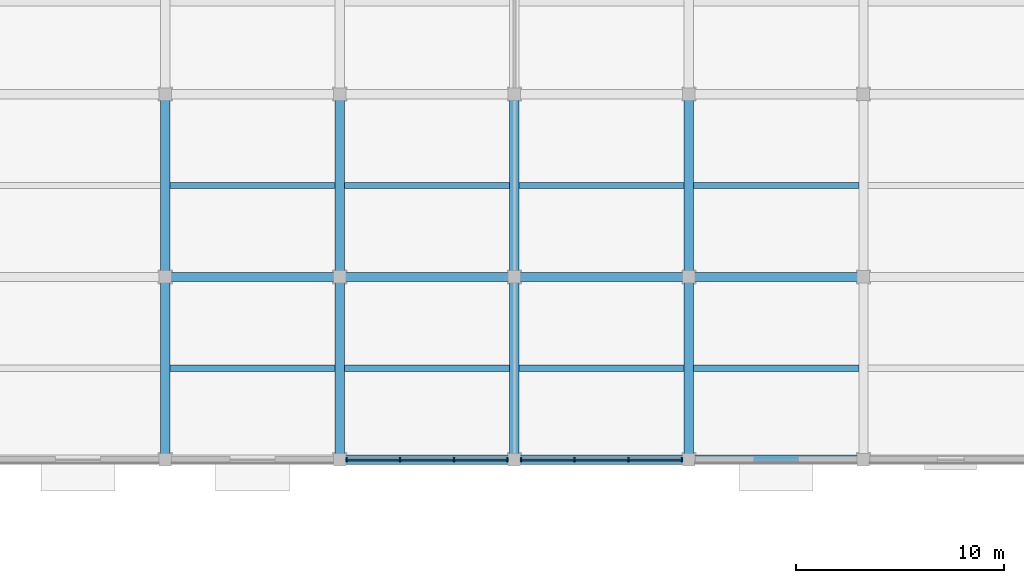
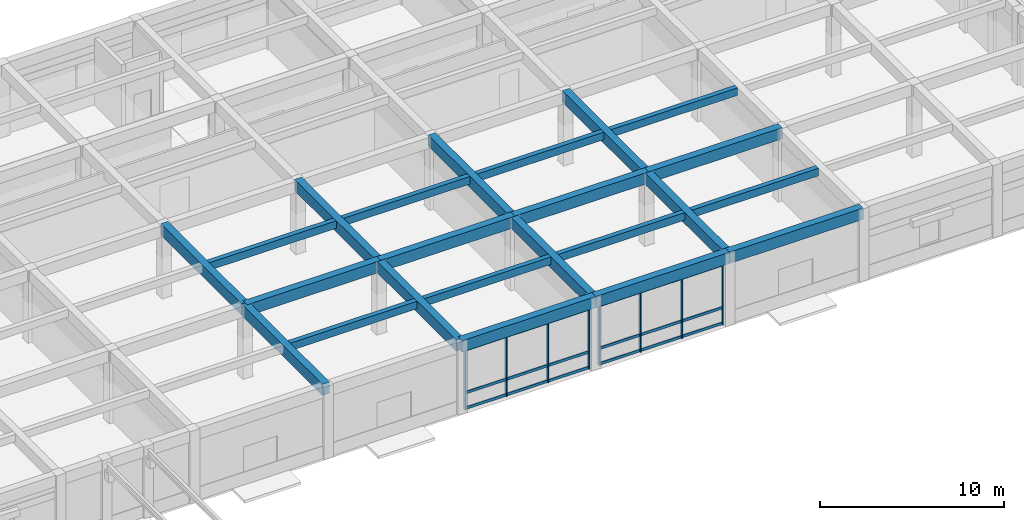
# One storey, part 16 of 58: 26 members, 23 beams, 2 elements without a shape of their own.
"""IFC4 building model written with IfcOpenShell, lengths in metres."""

from ifc_helpers import new_model, si_unit, direction, frame, origin, origin_2d, place, context, subcontext, project, spatial, rectangle, extrude, material, material_profile, profile_set, type_object, element, aggregate, save


model = new_model("IFC4")

# Units and contexts
model_context = context("Model", 3, precision=1e-05, world=origin(), true_north=direction((0.0, 1.0)))
body_context = subcontext(model_context, "Body", "Model", "MODEL_VIEW")
ifc_project = project(units=[si_unit("LENGTHUNIT", "METRE"), si_unit("AREAUNIT", "SQUARE_METRE"), si_unit("VOLUMEUNIT", "CUBIC_METRE"), si_unit("PLANEANGLEUNIT", "RADIAN"), si_unit("MASSUNIT", "GRAM", prefix="KILO")], contexts=[model_context])

# Site, building, storey
site_placement = place(None, origin())
site = spatial("IfcSite", under=ifc_project, at=site_placement, CompositionType="ELEMENT")
building_placement = place(site_placement, origin())
building = spatial("IfcBuilding", under=site, at=building_placement, Name="Kemercrest Conservatory and Botanical Centre", CompositionType="ELEMENT")
storey_placement = place(building_placement, origin())
storey = spatial("IfcBuildingStorey", under=building, at=storey_placement, Name="L00", CompositionType="ELEMENT", Elevation=0.0)

# Beams
ifc_material_1 = material(Name="Concrete C40/50", Category="concrete")
ifc_material_profile_1 = material_profile(ifc_material_1, rectangle(XDim=0.449951171875, YDim=0.75, at=origin_2d()), Name="RC 450x750")
ifc_profile_set_1 = profile_set([ifc_material_profile_1], Name="Concrete C40/50")
beam_type_1 = type_object("IfcBeamType", Name="BM-RC75", PredefinedType="BEAM", material=ifc_profile_set_1)
for number, where, z_axis, x_axis, name in (
    (1, (41.60009765625, 96.0, 4.425048828125), (1.0, 0.0, 0.0), (0.0, 1.0, 0.0), "V3-L01 beam BM-RC75 L/05-06"),
    (2, (50.0, 96.0, 4.425048828125), (1.0, 0.0, 0.0), (0.0, 1.0, 0.0), "V3-L01 beam BM-RC75 L/06-07"),
):
    element("IfcBeam", number, at=place(storey_placement, frame(where, z_axis=z_axis, x_axis=x_axis)), inside=storey, type_object=beam_type_1, Name=name, PredefinedType="BEAM", context=body_context, shape_type="SweptSolid", body=[
        extrude(rectangle(XDim=0.449951171875, YDim=0.75, at=origin_2d()), origin(), (0.0, 0.0, 1.0), 8.39990234375),
    ])
beam_1_placement = place(storey_placement, frame((58.39990234375, 96.0, 4.425048828125), z_axis=(1.0, 0.0, 0.0), x_axis=(0.0, 1.0, 0.0)))
element("IfcBeam", 3, at=beam_1_placement, inside=storey, type_object=beam_type_1, Name="V3-L01 beam BM-RC75 L/07-08", PredefinedType="BEAM", context=body_context, shape_type="SweptSolid", body=[
    extrude(rectangle(XDim=0.449951171875, YDim=0.75, at=origin_2d()), origin(), (0.0, 0.0, 1.0), 8.400146484375),
])
beam_2_placement = place(storey_placement, frame((66.800048828125, 96.0, 4.425048828125), z_axis=(1.0, 0.0, 0.0), x_axis=(0.0, 1.0, 0.0)))
element("IfcBeam", 4, at=beam_2_placement, inside=storey, type_object=beam_type_1, Name="V3-L01 beam BM-RC75 L/08-09", PredefinedType="BEAM", context=body_context, shape_type="SweptSolid", body=[
    extrude(rectangle(XDim=0.449951171875, YDim=0.75, at=origin_2d()), origin(), (0.0, 0.0, 1.0), 8.39990234375),
])
for number, where, z_axis, x_axis, name in (
    (5, (41.60009765625, 87.199951171875, 4.425048828125), (0.0, 1.0, 0.0), (-1.0, 0.0, 0.0), "V3-L01 beam BM-RC75 05/K-L"),
    (6, (41.60009765625, 96.0, 4.425048828125), (0.0, 1.0, 0.0), (-1.0, 0.0, 0.0), "V3-L01 beam BM-RC75 05/L-M"),
    (7, (50.0, 87.199951171875, 4.425048828125), (0.0, 1.0, 0.0), (-1.0, 0.0, 0.0), "V3-L01 beam BM-RC75 06/K-L"),
    (8, (50.0, 96.0, 4.425048828125), (0.0, 1.0, 0.0), (-1.0, 0.0, 0.0), "V3-L01 beam BM-RC75 06/L-M"),
    (9, (58.39990234375, 87.199951171875, 4.425048828125), (0.0, 1.0, 0.0), (-1.0, 0.0, 0.0), "V3-L01 beam BM-RC75 07/K-L"),
    (10, (58.39990234375, 96.0, 4.425048828125), (0.0, 1.0, 0.0), (-1.0, 0.0, 0.0), "V3-L01 beam BM-RC75 07/L-M"),
    (11, (66.800048828125, 87.199951171875, 4.425048828125), (0.0, 1.0, 0.0), (-1.0, 0.0, 0.0), "V3-L01 beam BM-RC75 08/K-L"),
    (12, (66.800048828125, 96.0, 4.425048828125), (0.0, 1.0, 0.0), (-1.0, 0.0, 0.0), "V3-L01 beam BM-RC75 08/L-M"),
):
    element("IfcBeam", number, at=place(storey_placement, frame(where, z_axis=z_axis, x_axis=x_axis)), inside=storey, type_object=beam_type_1, Name=name, PredefinedType="BEAM", context=body_context, shape_type="SweptSolid", body=[
        extrude(rectangle(XDim=0.449951171875, YDim=0.75, at=origin_2d()), origin(), (0.0, 0.0, 1.0), 8.800048828125),
    ])

# Curtain wall, members
ifc_material_2 = material(Name="Thermally broken aluminium and triple low-e glazing", Category="aluminium")
curtain_wall_type_1 = type_object("IfcCurtainWallType", Name="CW-01", PredefinedType="USERDEFINED", material=ifc_material_2)
curtain_wall_1_placement = place(storey_placement, origin())
curtain_wall_1 = element("IfcCurtainWall", 13, at=curtain_wall_1_placement, inside=storey, type_object=curtain_wall_type_1, Name="Unitised curtain wall CW-01 (CW:L00:V3-030)", ObjectType="UNITISED CURTAIN WALL", PredefinedType="USERDEFINED")
ifc_material_3 = material(Name="Thermally broken anodized aluminium 6063-T6", Category="aluminium")
ifc_material_profile_2 = material_profile(ifc_material_3, rectangle(XDim=0.199951171875, YDim=0.06494140625, at=origin_2d()), Name="AL MULLION 65x200")
ifc_profile_set_2 = profile_set([ifc_material_profile_2], Name="Thermally broken anodized aluminium 6063-T6")
member_type_1 = type_object("IfcMemberType", Name="CW-M200", PredefinedType="MULLION", material=ifc_profile_set_2)
member_1_placement = place(storey_placement, frame((50.327392578125, 87.199951171875, 0.0), z_axis=(0.0, 0.0, 1.0), x_axis=(0.0, 1.0, 0.0)))
member_1 = element("IfcMember", 14, at=member_1_placement, type_object=member_type_1, Name="CW-01 mullion 1", PredefinedType="MULLION", context=body_context, shape_type="SweptSolid", body=[
    extrude(rectangle(XDim=0.199951171875, YDim=0.06494140625, at=origin_2d()), origin(), (0.0, 0.0, 1.0), 4.054931640625),
])
member_2_placement = place(storey_placement, frame((52.8984375, 87.199951171875, 0.0), z_axis=(0.0, 0.0, 1.0), x_axis=(0.0, 1.0, 0.0)))
member_2 = element("IfcMember", 15, at=member_2_placement, type_object=member_type_1, Name="CW-01 mullion 2", PredefinedType="MULLION", context=body_context, shape_type="SweptSolid", body=[
    extrude(rectangle(XDim=0.199951171875, YDim=0.06494140625, at=origin_2d()), origin(), (0.0, 0.0, 1.0), 4.054931640625),
])
member_3_placement = place(storey_placement, frame((55.501708984375, 87.199951171875, 0.0), z_axis=(0.0, 0.0, 1.0), x_axis=(0.0, 1.0, 0.0)))
member_3 = element("IfcMember", 16, at=member_3_placement, type_object=member_type_1, Name="CW-01 mullion 3", PredefinedType="MULLION", context=body_context, shape_type="SweptSolid", body=[
    extrude(rectangle(XDim=0.199951171875, YDim=0.06494140625, at=origin_2d()), origin(), (0.0, 0.0, 1.0), 4.054931640625),
])
member_4_placement = place(storey_placement, frame((58.072509765625, 87.199951171875, 0.0), z_axis=(0.0, 0.0, 1.0), x_axis=(0.0, 1.0, 0.0)))
member_4 = element("IfcMember", 17, at=member_4_placement, type_object=member_type_1, Name="CW-01 mullion 4", PredefinedType="MULLION", context=body_context, shape_type="SweptSolid", body=[
    extrude(rectangle(XDim=0.199951171875, YDim=0.06494140625, at=origin_2d()), origin(), (0.0, 0.0, 1.0), 4.054931640625),
])

curtain_wall_type_2 = type_object("IfcCurtainWallType", Name="CW-02", PredefinedType="USERDEFINED", material=ifc_material_2)
curtain_wall_2_placement = place(storey_placement, origin())
curtain_wall_2 = element("IfcCurtainWall", 18, at=curtain_wall_2_placement, inside=storey, type_object=curtain_wall_type_2, Name="Unitised curtain wall CW-02 (CW:L00:V3-031)", ObjectType="UNITISED CURTAIN WALL", PredefinedType="USERDEFINED")
member_5_placement = place(storey_placement, frame((58.7275390625, 87.199951171875, 0.0), z_axis=(0.0, 0.0, 1.0), x_axis=(0.0, 1.0, 0.0)))
member_5 = element("IfcMember", 19, at=member_5_placement, type_object=member_type_1, Name="CW-02 mullion 1", PredefinedType="MULLION", context=body_context, shape_type="SweptSolid", body=[
    extrude(rectangle(XDim=0.199951171875, YDim=0.06494140625, at=origin_2d()), origin(), (0.0, 0.0, 1.0), 4.054931640625),
])
member_6_placement = place(storey_placement, frame((61.29833984375, 87.199951171875, 0.0), z_axis=(0.0, 0.0, 1.0), x_axis=(0.0, 1.0, 0.0)))
member_6 = element("IfcMember", 20, at=member_6_placement, type_object=member_type_1, Name="CW-02 mullion 2", PredefinedType="MULLION", context=body_context, shape_type="SweptSolid", body=[
    extrude(rectangle(XDim=0.199951171875, YDim=0.06494140625, at=origin_2d()), origin(), (0.0, 0.0, 1.0), 4.054931640625),
])
member_7_placement = place(storey_placement, frame((63.901611328125, 87.199951171875, 0.0), z_axis=(0.0, 0.0, 1.0), x_axis=(0.0, 1.0, 0.0)))
member_7 = element("IfcMember", 21, at=member_7_placement, type_object=member_type_1, Name="CW-02 mullion 3", PredefinedType="MULLION", context=body_context, shape_type="SweptSolid", body=[
    extrude(rectangle(XDim=0.199951171875, YDim=0.06494140625, at=origin_2d()), origin(), (0.0, 0.0, 1.0), 4.054931640625),
])
member_8_placement = place(storey_placement, frame((66.472412109375, 87.199951171875, 0.0), z_axis=(0.0, 0.0, 1.0), x_axis=(0.0, 1.0, 0.0)))
member_8 = element("IfcMember", 22, at=member_8_placement, type_object=member_type_1, Name="CW-02 mullion 4", PredefinedType="MULLION", context=body_context, shape_type="SweptSolid", body=[
    extrude(rectangle(XDim=0.199951171875, YDim=0.06494140625, at=origin_2d()), origin(), (0.0, 0.0, 1.0), 4.054931640625),
])

# Member
ifc_material_profile_3 = material_profile(ifc_material_3, rectangle(XDim=0.074951171875, YDim=0.179931640625, at=origin_2d()), Name="AL TRANSOM 75x180")
ifc_profile_set_3 = profile_set([ifc_material_profile_3], Name="Thermally broken anodized aluminium 6063-T6")
member_type_2 = type_object("IfcMemberType", Name="CW-T180", PredefinedType="USERDEFINED", material=ifc_profile_set_3)
member_9_placement = place(storey_placement, frame((50.360107421875, 87.199951171875, 0.090087890625), z_axis=(1.0, 0.0, 0.0), x_axis=(0.0, 1.0, 0.0)))
member_9 = element("IfcMember", 23, at=member_9_placement, type_object=member_type_2, Name="CW-01 transom 1.1", ObjectType="TRANSOM", PredefinedType="USERDEFINED", context=body_context, shape_type="SweptSolid", body=[
    extrude(rectangle(XDim=0.074951171875, YDim=0.179931640625, at=origin_2d()), origin(), (0.0, 0.0, 1.0), 2.505615234375),
])

member_10_placement = place(storey_placement, frame((50.360107421875, 87.199951171875, 1.1201171875), z_axis=(1.0, 0.0, 0.0), x_axis=(0.0, 1.0, 0.0)))
member_10 = element("IfcMember", 24, at=member_10_placement, type_object=member_type_2, Name="CW-01 transom 1.2", ObjectType="TRANSOM", PredefinedType="USERDEFINED", context=body_context, shape_type="SweptSolid", body=[
    extrude(rectangle(XDim=0.074951171875, YDim=0.179931640625, at=origin_2d()), origin(), (0.0, 0.0, 1.0), 2.505615234375),
])

member_11_placement = place(storey_placement, frame((50.360107421875, 87.199951171875, 3.965087890625), z_axis=(1.0, 0.0, 0.0), x_axis=(0.0, 1.0, 0.0)))
member_11 = element("IfcMember", 25, at=member_11_placement, type_object=member_type_2, Name="CW-01 transom 1.3", ObjectType="TRANSOM", PredefinedType="USERDEFINED", context=body_context, shape_type="SweptSolid", body=[
    extrude(rectangle(XDim=0.074951171875, YDim=0.179931640625, at=origin_2d()), origin(), (0.0, 0.0, 1.0), 2.505615234375),
])

member_12_placement = place(storey_placement, frame((52.930908203125, 87.199951171875, 0.090087890625), z_axis=(1.0, 0.0, 0.0), x_axis=(0.0, 1.0, 0.0)))
member_12 = element("IfcMember", 26, at=member_12_placement, type_object=member_type_2, Name="CW-01 transom 2.1", ObjectType="TRANSOM", PredefinedType="USERDEFINED", context=body_context, shape_type="SweptSolid", body=[
    extrude(rectangle(XDim=0.074951171875, YDim=0.179931640625, at=origin_2d()), origin(), (0.0, 0.0, 1.0), 2.538330078125),
])

member_13_placement = place(storey_placement, frame((52.930908203125, 87.199951171875, 1.1201171875), z_axis=(1.0, 0.0, 0.0), x_axis=(0.0, 1.0, 0.0)))
member_13 = element("IfcMember", 27, at=member_13_placement, type_object=member_type_2, Name="CW-01 transom 2.2", ObjectType="TRANSOM", PredefinedType="USERDEFINED", context=body_context, shape_type="SweptSolid", body=[
    extrude(rectangle(XDim=0.074951171875, YDim=0.179931640625, at=origin_2d()), origin(), (0.0, 0.0, 1.0), 2.538330078125),
])

member_14_placement = place(storey_placement, frame((52.930908203125, 87.199951171875, 3.965087890625), z_axis=(1.0, 0.0, 0.0), x_axis=(0.0, 1.0, 0.0)))
member_14 = element("IfcMember", 28, at=member_14_placement, type_object=member_type_2, Name="CW-01 transom 2.3", ObjectType="TRANSOM", PredefinedType="USERDEFINED", context=body_context, shape_type="SweptSolid", body=[
    extrude(rectangle(XDim=0.074951171875, YDim=0.179931640625, at=origin_2d()), origin(), (0.0, 0.0, 1.0), 2.538330078125),
])

member_15_placement = place(storey_placement, frame((55.5341796875, 87.199951171875, 0.090087890625), z_axis=(1.0, 0.0, 0.0), x_axis=(0.0, 1.0, 0.0)))
member_15 = element("IfcMember", 29, at=member_15_placement, type_object=member_type_2, Name="CW-01 transom 3.1", ObjectType="TRANSOM", PredefinedType="USERDEFINED", context=body_context, shape_type="SweptSolid", body=[
    extrude(rectangle(XDim=0.074951171875, YDim=0.179931640625, at=origin_2d()), origin(), (0.0, 0.0, 1.0), 2.505859375),
])

member_16_placement = place(storey_placement, frame((55.5341796875, 87.199951171875, 1.1201171875), z_axis=(1.0, 0.0, 0.0), x_axis=(0.0, 1.0, 0.0)))
member_16 = element("IfcMember", 30, at=member_16_placement, type_object=member_type_2, Name="CW-01 transom 3.2", ObjectType="TRANSOM", PredefinedType="USERDEFINED", context=body_context, shape_type="SweptSolid", body=[
    extrude(rectangle(XDim=0.074951171875, YDim=0.179931640625, at=origin_2d()), origin(), (0.0, 0.0, 1.0), 2.505859375),
])

member_17_placement = place(storey_placement, frame((55.5341796875, 87.199951171875, 3.965087890625), z_axis=(1.0, 0.0, 0.0), x_axis=(0.0, 1.0, 0.0)))
member_17 = element("IfcMember", 31, at=member_17_placement, type_object=member_type_2, Name="CW-01 transom 3.3", ObjectType="TRANSOM", PredefinedType="USERDEFINED", context=body_context, shape_type="SweptSolid", body=[
    extrude(rectangle(XDim=0.074951171875, YDim=0.179931640625, at=origin_2d()), origin(), (0.0, 0.0, 1.0), 2.505859375),
])

aggregate(curtain_wall_1, [member_1, member_2, member_3, member_4, member_9, member_10, member_11, member_12, member_13, member_14, member_15, member_16, member_17])

member_18_placement = place(storey_placement, frame((58.760009765625, 87.199951171875, 0.090087890625), z_axis=(1.0, 0.0, 0.0), x_axis=(0.0, 1.0, 0.0)))
member_18 = element("IfcMember", 32, at=member_18_placement, type_object=member_type_2, Name="CW-02 transom 1.1", ObjectType="TRANSOM", PredefinedType="USERDEFINED", context=body_context, shape_type="SweptSolid", body=[
    extrude(rectangle(XDim=0.074951171875, YDim=0.179931640625, at=origin_2d()), origin(), (0.0, 0.0, 1.0), 2.505859375),
])

member_19_placement = place(storey_placement, frame((58.760009765625, 87.199951171875, 1.1201171875), z_axis=(1.0, 0.0, 0.0), x_axis=(0.0, 1.0, 0.0)))
member_19 = element("IfcMember", 33, at=member_19_placement, type_object=member_type_2, Name="CW-02 transom 1.2", ObjectType="TRANSOM", PredefinedType="USERDEFINED", context=body_context, shape_type="SweptSolid", body=[
    extrude(rectangle(XDim=0.074951171875, YDim=0.179931640625, at=origin_2d()), origin(), (0.0, 0.0, 1.0), 2.505859375),
])

member_20_placement = place(storey_placement, frame((58.760009765625, 87.199951171875, 3.965087890625), z_axis=(1.0, 0.0, 0.0), x_axis=(0.0, 1.0, 0.0)))
member_20 = element("IfcMember", 34, at=member_20_placement, type_object=member_type_2, Name="CW-02 transom 1.3", ObjectType="TRANSOM", PredefinedType="USERDEFINED", context=body_context, shape_type="SweptSolid", body=[
    extrude(rectangle(XDim=0.074951171875, YDim=0.179931640625, at=origin_2d()), origin(), (0.0, 0.0, 1.0), 2.505859375),
])

member_21_placement = place(storey_placement, frame((61.330810546875, 87.199951171875, 0.090087890625), z_axis=(1.0, 0.0, 0.0), x_axis=(0.0, 1.0, 0.0)))
member_21 = element("IfcMember", 35, at=member_21_placement, type_object=member_type_2, Name="CW-02 transom 2.1", ObjectType="TRANSOM", PredefinedType="USERDEFINED", context=body_context, shape_type="SweptSolid", body=[
    extrude(rectangle(XDim=0.074951171875, YDim=0.179931640625, at=origin_2d()), origin(), (0.0, 0.0, 1.0), 2.538330078125),
])

member_22_placement = place(storey_placement, frame((61.330810546875, 87.199951171875, 1.1201171875), z_axis=(1.0, 0.0, 0.0), x_axis=(0.0, 1.0, 0.0)))
member_22 = element("IfcMember", 36, at=member_22_placement, type_object=member_type_2, Name="CW-02 transom 2.2", ObjectType="TRANSOM", PredefinedType="USERDEFINED", context=body_context, shape_type="SweptSolid", body=[
    extrude(rectangle(XDim=0.074951171875, YDim=0.179931640625, at=origin_2d()), origin(), (0.0, 0.0, 1.0), 2.538330078125),
])

member_23_placement = place(storey_placement, frame((61.330810546875, 87.199951171875, 3.965087890625), z_axis=(1.0, 0.0, 0.0), x_axis=(0.0, 1.0, 0.0)))
member_23 = element("IfcMember", 37, at=member_23_placement, type_object=member_type_2, Name="CW-02 transom 2.3", ObjectType="TRANSOM", PredefinedType="USERDEFINED", context=body_context, shape_type="SweptSolid", body=[
    extrude(rectangle(XDim=0.074951171875, YDim=0.179931640625, at=origin_2d()), origin(), (0.0, 0.0, 1.0), 2.538330078125),
])

member_24_placement = place(storey_placement, frame((63.93408203125, 87.199951171875, 0.090087890625), z_axis=(1.0, 0.0, 0.0), x_axis=(0.0, 1.0, 0.0)))
member_24 = element("IfcMember", 38, at=member_24_placement, type_object=member_type_2, Name="CW-02 transom 3.1", ObjectType="TRANSOM", PredefinedType="USERDEFINED", context=body_context, shape_type="SweptSolid", body=[
    extrude(rectangle(XDim=0.074951171875, YDim=0.179931640625, at=origin_2d()), origin(), (0.0, 0.0, 1.0), 2.505859375),
])

member_25_placement = place(storey_placement, frame((63.93408203125, 87.199951171875, 1.1201171875), z_axis=(1.0, 0.0, 0.0), x_axis=(0.0, 1.0, 0.0)))
member_25 = element("IfcMember", 39, at=member_25_placement, type_object=member_type_2, Name="CW-02 transom 3.2", ObjectType="TRANSOM", PredefinedType="USERDEFINED", context=body_context, shape_type="SweptSolid", body=[
    extrude(rectangle(XDim=0.074951171875, YDim=0.179931640625, at=origin_2d()), origin(), (0.0, 0.0, 1.0), 2.505859375),
])

member_26_placement = place(storey_placement, frame((63.93408203125, 87.199951171875, 3.965087890625), z_axis=(1.0, 0.0, 0.0), x_axis=(0.0, 1.0, 0.0)))
member_26 = element("IfcMember", 40, at=member_26_placement, type_object=member_type_2, Name="CW-02 transom 3.3", ObjectType="TRANSOM", PredefinedType="USERDEFINED", context=body_context, shape_type="SweptSolid", body=[
    extrude(rectangle(XDim=0.074951171875, YDim=0.179931640625, at=origin_2d()), origin(), (0.0, 0.0, 1.0), 2.505859375),
])

aggregate(curtain_wall_2, [member_5, member_6, member_7, member_8, member_18, member_19, member_20, member_21, member_22, member_23, member_24, member_25, member_26])

# Beams
ifc_material_profile_4 = material_profile(ifc_material_1, rectangle(XDim=0.300048828125, YDim=0.5, at=origin_2d()), Name="RC 300x500")
ifc_profile_set_4 = profile_set([ifc_material_profile_4], Name="Concrete C40/50")
beam_type_2 = type_object("IfcBeamType", Name="JS-RC50", PredefinedType="JOIST", material=ifc_profile_set_4)
for number, where, z_axis, x_axis, name in (
    (41, (41.824951171875, 91.60009765625, 4.550048828125), (1.0, 0.0, 0.0), (0.0, 1.0, 0.0), "V3-L01 secondary joist JS-RC50"),
    (42, (50.22509765625, 91.60009765625, 4.550048828125), (1.0, 0.0, 0.0), (0.0, 1.0, 0.0), "V3-L01 secondary joist JS-RC50"),
    (43, (58.625, 91.60009765625, 4.550048828125), (1.0, 0.0, 0.0), (0.0, 1.0, 0.0), "V3-L01 secondary joist JS-RC50"),
):
    element("IfcBeam", number, at=place(storey_placement, frame(where, z_axis=z_axis, x_axis=x_axis)), inside=storey, type_object=beam_type_2, Name=name, PredefinedType="JOIST", context=body_context, shape_type="SweptSolid", body=[
        extrude(rectangle(XDim=0.300048828125, YDim=0.5, at=origin_2d()), origin(), (0.0, 0.0, 1.0), 7.949951171875),
    ])
beam_3_placement = place(storey_placement, frame((67.02490234375, 91.60009765625, 4.550048828125), z_axis=(1.0, 0.0, 0.0), x_axis=(0.0, 1.0, 0.0)))
element("IfcBeam", 44, at=beam_3_placement, inside=storey, type_object=beam_type_2, Name="V3-L01 secondary joist JS-RC50", PredefinedType="JOIST", context=body_context, shape_type="SweptSolid", body=[
    extrude(rectangle(XDim=0.300048828125, YDim=0.5, at=origin_2d()), origin(), (0.0, 0.0, 1.0), 7.9501953125),
])
for number, where, z_axis, x_axis, name in (
    (45, (41.824951171875, 100.39990234375, 4.550048828125), (1.0, 0.0, 0.0), (0.0, 1.0, 0.0), "V3-L01 secondary joist JS-RC50"),
    (46, (50.22509765625, 100.39990234375, 4.550048828125), (1.0, 0.0, 0.0), (0.0, 1.0, 0.0), "V3-L01 secondary joist JS-RC50"),
    (47, (58.625, 100.39990234375, 4.550048828125), (1.0, 0.0, 0.0), (0.0, 1.0, 0.0), "V3-L01 secondary joist JS-RC50"),
):
    element("IfcBeam", number, at=place(storey_placement, frame(where, z_axis=z_axis, x_axis=x_axis)), inside=storey, type_object=beam_type_2, Name=name, PredefinedType="JOIST", context=body_context, shape_type="SweptSolid", body=[
        extrude(rectangle(XDim=0.300048828125, YDim=0.5, at=origin_2d()), origin(), (0.0, 0.0, 1.0), 7.949951171875),
    ])
beam_4_placement = place(storey_placement, frame((67.02490234375, 100.39990234375, 4.550048828125), z_axis=(1.0, 0.0, 0.0), x_axis=(0.0, 1.0, 0.0)))
element("IfcBeam", 48, at=beam_4_placement, inside=storey, type_object=beam_type_2, Name="V3-L01 secondary joist JS-RC50", PredefinedType="JOIST", context=body_context, shape_type="SweptSolid", body=[
    extrude(rectangle(XDim=0.300048828125, YDim=0.5, at=origin_2d()), origin(), (0.0, 0.0, 1.0), 7.9501953125),
])
ifc_material_profile_5 = material_profile(ifc_material_1, rectangle(XDim=0.449951171875, YDim=0.75, at=origin_2d()), Name="RC 450x750")
ifc_profile_set_5 = profile_set([ifc_material_profile_5], Name="Concrete C40/50")
beam_type_3 = type_object("IfcBeamType", Name="SP-RC75", PredefinedType="SPANDREL", material=ifc_profile_set_5)
beam_5_placement = place(storey_placement, frame((50.0, 87.199951171875, 4.425048828125), z_axis=(1.0, 0.0, 0.0), x_axis=(0.0, 1.0, 0.0)))
element("IfcBeam", 49, at=beam_5_placement, inside=storey, type_object=beam_type_3, Name="V3-L01 beam SP-RC75 K/06-07", PredefinedType="SPANDREL", context=body_context, shape_type="SweptSolid", body=[
    extrude(rectangle(XDim=0.449951171875, YDim=0.75, at=origin_2d()), origin(), (0.0, 0.0, 1.0), 8.39990234375),
])
beam_6_placement = place(storey_placement, frame((58.39990234375, 87.199951171875, 4.425048828125), z_axis=(1.0, 0.0, 0.0), x_axis=(0.0, 1.0, 0.0)))
element("IfcBeam", 50, at=beam_6_placement, inside=storey, type_object=beam_type_3, Name="V3-L01 beam SP-RC75 K/07-08", PredefinedType="SPANDREL", context=body_context, shape_type="SweptSolid", body=[
    extrude(rectangle(XDim=0.449951171875, YDim=0.75, at=origin_2d()), origin(), (0.0, 0.0, 1.0), 8.400146484375),
])
beam_7_placement = place(storey_placement, frame((66.800048828125, 87.199951171875, 4.425048828125), z_axis=(1.0, 0.0, 0.0), x_axis=(0.0, 1.0, 0.0)))
element("IfcBeam", 51, at=beam_7_placement, inside=storey, type_object=beam_type_3, Name="V3-L01 beam SP-RC75 K/08-09", PredefinedType="SPANDREL", context=body_context, shape_type="SweptSolid", body=[
    extrude(rectangle(XDim=0.449951171875, YDim=0.75, at=origin_2d()), origin(), (0.0, 0.0, 1.0), 8.39990234375),
])

save(model, "model.ifc")
